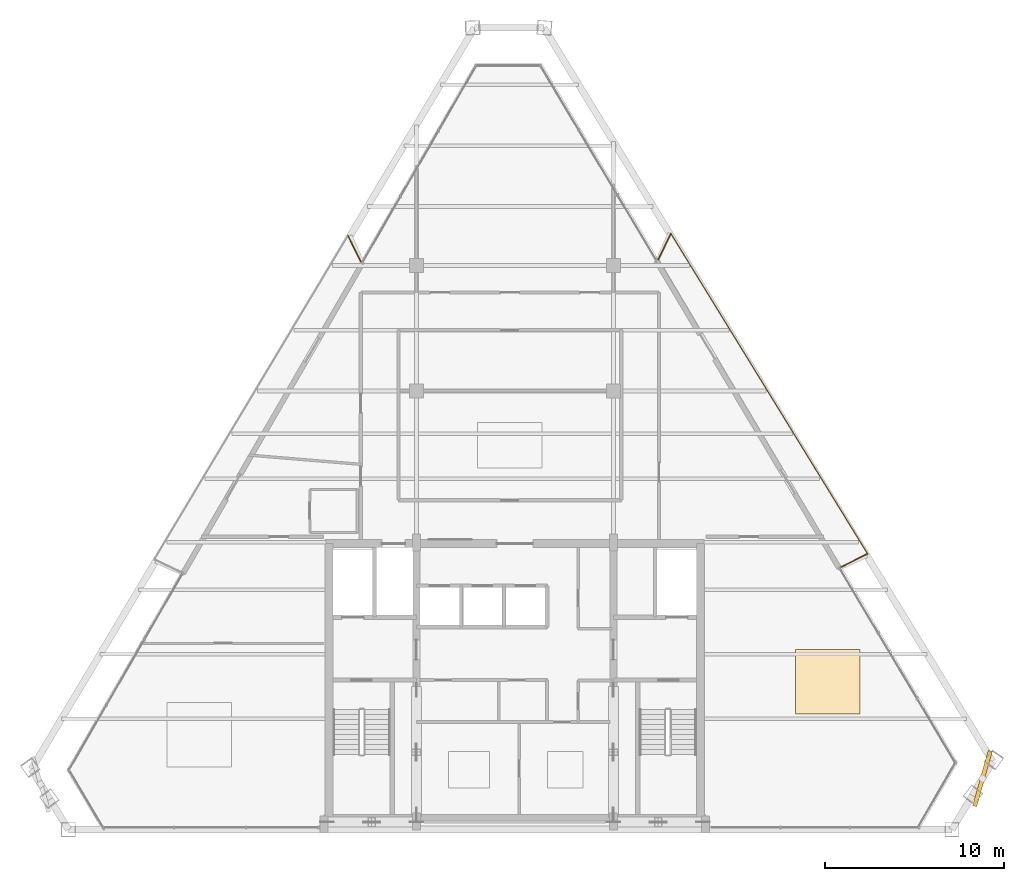
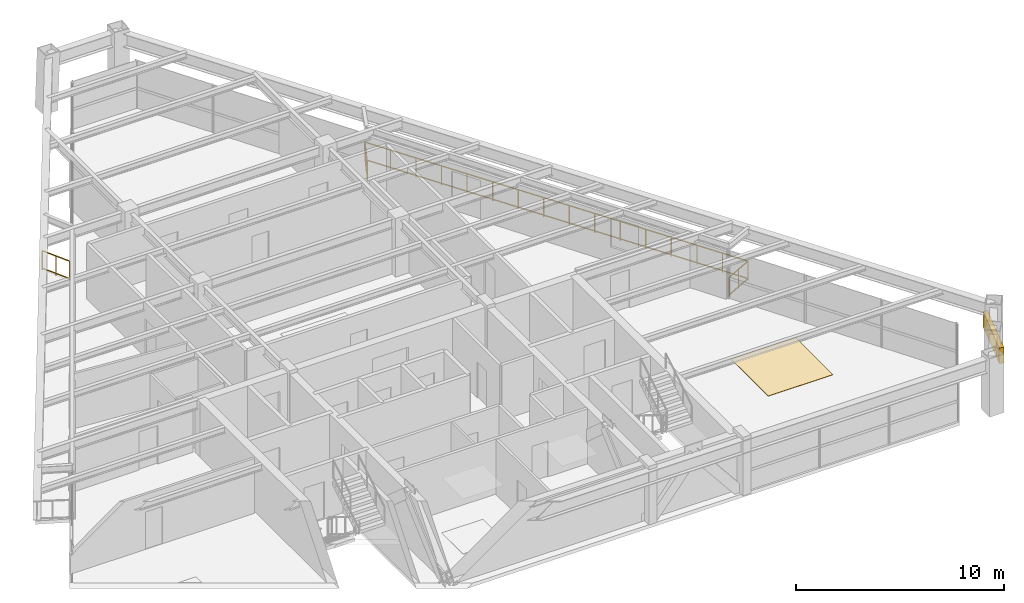
# One storey, part 13 of 13: 4 railings, 1 covering, 1 shading device.
"""IFC4 building model written with IfcOpenShell, lengths in metres."""

from ifc_helpers import new_model, si_unit, direction, frame, origin, origin_2d, place, context, subcontext, project, spatial, rectangle, extrude, source, transform, mapped, material, layer, layer_set, type_object, type_shapes, element, save


model = new_model("IFC4")

# Units and contexts
model_context = context("Model", 3, precision=1e-05, world=origin(), true_north=direction((0.0, 1.0)))
body_context = subcontext(model_context, "Body", "Model", "MODEL_VIEW")
ifc_project = project(units=[si_unit("LENGTHUNIT", "METRE"), si_unit("AREAUNIT", "SQUARE_METRE"), si_unit("VOLUMEUNIT", "CUBIC_METRE"), si_unit("PLANEANGLEUNIT", "RADIAN"), si_unit("MASSUNIT", "GRAM", prefix="KILO")], contexts=[model_context])

# Site, building, storey
site_placement = place(None, origin())
site = spatial("IfcSite", under=ifc_project, at=site_placement, CompositionType="ELEMENT")
building_placement = place(site_placement, origin())
building = spatial("IfcBuilding", under=site, at=building_placement, Name="Varnakhor Terracotta Tower", CompositionType="ELEMENT")
storey_placement = place(building_placement, frame((0.0, 0.0, 273.0)))
storey = spatial("IfcBuildingStorey", under=building, at=storey_placement, Name="L71", CompositionType="ELEMENT", Elevation=273.0)

# Railings
ifc_material_1 = material(Name="Stainless Steel & Laminated Glass Guardrail", Category="steel")
railing_type = type_object("IfcRailingType", Name="RLG-LOGGIA-GUARD-1150", PredefinedType="GUARDRAIL", material=ifc_material_1)
railing_1_placement = place(storey_placement, frame((8.011962890625, 31.848388671875, 0.0)))
element("IfcRailing", 1, at=railing_1_placement, inside=storey, type_object=railing_type, Name="L71 E Loggia Glass Guard 1", PredefinedType="GUARDRAIL", context=body_context, shape_type="SweptSolid", body=[
    extrude(rectangle(XDim=0.048095703125, YDim=0.048095703125, at=origin_2d()), frame((0.0, 0.0, 1.1259765625), z_axis=(0.43962882597, 0.898179545178, 0.0), x_axis=(-0.898179545178, 0.43962882597, 0.0)), (0.0, 0.0, 1.0), 1.599853515625),
    extrude(rectangle(XDim=0.048095703125, YDim=0.048095703125, at=origin_2d()), frame((0.0, 0.0, 0.10009765625), z_axis=(0.43962882597, 0.898179545178, 0.0), x_axis=(-0.898179545178, 0.43962882597, 0.0)), (0.0, 0.0, 1.0), 1.599853515625),
    extrude(rectangle(XDim=0.0419921875, YDim=0.0419921875, at=origin_2d()), origin(), (0.0, 0.0, 1.0), 1.101806640625),
    extrude(rectangle(XDim=0.0419921875, YDim=0.0419921875, at=origin_2d()), frame((0.3515625, 0.718505859375, 0.0)), (0.0, 0.0, 1.0), 1.101806640625),
    extrude(rectangle(XDim=0.0419921875, YDim=0.0419921875, at=origin_2d()), frame((0.703369140625, 1.43701171875, 0.0)), (0.0, 0.0, 1.0), 1.101806640625),
])
railing_2_placement = place(storey_placement, frame((8.71533203125, 33.285400390625, 0.0)))
element("IfcRailing", 2, at=railing_2_placement, inside=storey, type_object=railing_type, Name="L71 E Loggia Glass Guard 2", PredefinedType="GUARDRAIL", context=body_context, shape_type="SweptSolid", body=[
    extrude(rectangle(XDim=0.048095703125, YDim=0.048095703125, at=origin_2d()), frame((0.0, 0.0, 1.1259765625), z_axis=(0.52335064164, -0.852117424945, 0.0), x_axis=(0.852117424945, 0.52335064164, 0.0)), (0.0, 0.0, 1.0), 20.98193359375),
    extrude(rectangle(XDim=0.048095703125, YDim=0.048095703125, at=origin_2d()), frame((0.0, 0.0, 0.10009765625), z_axis=(0.52335064164, -0.852117424945, 0.0), x_axis=(0.852117424945, 0.52335064164, 0.0)), (0.0, 0.0, 1.0), 20.98193359375),
    extrude(rectangle(XDim=0.0419921875, YDim=0.0419921875, at=origin_2d()), origin(), (0.0, 0.0, 1.0), 1.101806640625),
    extrude(rectangle(XDim=0.0419921875, YDim=0.0419921875, at=origin_2d()), frame((0.732177734375, -1.19189453125, 0.0)), (0.0, 0.0, 1.0), 1.101806640625),
    extrude(rectangle(XDim=0.0419921875, YDim=0.0419921875, at=origin_2d()), frame((1.464111328125, -2.3837890625, 0.0)), (0.0, 0.0, 1.0), 1.101806640625),
    extrude(rectangle(XDim=0.0419921875, YDim=0.0419921875, at=origin_2d()), frame((2.1962890625, -3.575927734375, 0.0)), (0.0, 0.0, 1.0), 1.101806640625),
    extrude(rectangle(XDim=0.0419921875, YDim=0.0419921875, at=origin_2d()), frame((2.92822265625, -4.767822265625, 0.0)), (0.0, 0.0, 1.0), 1.101806640625),
    extrude(rectangle(XDim=0.0419921875, YDim=0.0419921875, at=origin_2d()), frame((3.660400390625, -5.959716796875, 0.0)), (0.0, 0.0, 1.0), 1.101806640625),
    extrude(rectangle(XDim=0.0419921875, YDim=0.0419921875, at=origin_2d()), frame((4.392333984375, -7.151611328125, 0.0)), (0.0, 0.0, 1.0), 1.101806640625),
    extrude(rectangle(XDim=0.0419921875, YDim=0.0419921875, at=origin_2d()), frame((5.12451171875, -8.343505859375, 0.0)), (0.0, 0.0, 1.0), 1.101806640625),
    extrude(rectangle(XDim=0.0419921875, YDim=0.0419921875, at=origin_2d()), frame((5.8564453125, -9.53564453125, 0.0)), (0.0, 0.0, 1.0), 1.101806640625),
    extrude(rectangle(XDim=0.0419921875, YDim=0.0419921875, at=origin_2d()), frame((6.588623046875, -10.7275390625, 0.0)), (0.0, 0.0, 1.0), 1.101806640625),
    extrude(rectangle(XDim=0.0419921875, YDim=0.0419921875, at=origin_2d()), frame((7.320556640625, -11.91943359375, 0.0)), (0.0, 0.0, 1.0), 1.101806640625),
    extrude(rectangle(XDim=0.0419921875, YDim=0.0419921875, at=origin_2d()), frame((8.052734375, -13.111328125, 0.0)), (0.0, 0.0, 1.0), 1.101806640625),
    extrude(rectangle(XDim=0.0419921875, YDim=0.0419921875, at=origin_2d()), frame((8.78466796875, -14.30322265625, 0.0)), (0.0, 0.0, 1.0), 1.101806640625),
    extrude(rectangle(XDim=0.0419921875, YDim=0.0419921875, at=origin_2d()), frame((9.516845703125, -15.495361328125, 0.0)), (0.0, 0.0, 1.0), 1.101806640625),
    extrude(rectangle(XDim=0.0419921875, YDim=0.0419921875, at=origin_2d()), frame((10.248779296875, -16.687255859375, 0.0)), (0.0, 0.0, 1.0), 1.101806640625),
    extrude(rectangle(XDim=0.0419921875, YDim=0.0419921875, at=origin_2d()), frame((10.98095703125, -17.879150390625, 0.0)), (0.0, 0.0, 1.0), 1.101806640625),
])
railing_3_placement = place(storey_placement, frame((19.6962890625, 15.40625, 0.0)))
element("IfcRailing", 3, at=railing_3_placement, inside=storey, type_object=railing_type, Name="L71 E Loggia Glass Guard 3", PredefinedType="GUARDRAIL", context=body_context, shape_type="SweptSolid", body=[
    extrude(rectangle(XDim=0.048095703125, YDim=0.048095703125, at=origin_2d()), frame((0.0, 0.0, 1.1259765625), z_axis=(-0.893470526971, -0.449121829167, 0.0), x_axis=(0.449121829167, -0.893470526971, 0.0)), (0.0, 0.0, 1.0), 1.63671875),
    extrude(rectangle(XDim=0.048095703125, YDim=0.048095703125, at=origin_2d()), frame((0.0, 0.0, 0.10009765625), z_axis=(-0.893470526971, -0.449121829167, 0.0), x_axis=(0.449121829167, -0.893470526971, 0.0)), (0.0, 0.0, 1.0), 1.63671875),
    extrude(rectangle(XDim=0.0419921875, YDim=0.0419921875, at=origin_2d()), origin(), (0.0, 0.0, 1.0), 1.101806640625),
    extrude(rectangle(XDim=0.0419921875, YDim=0.0419921875, at=origin_2d()), frame((-0.731201171875, -0.36767578125, 0.0)), (0.0, 0.0, 1.0), 1.101806640625),
    extrude(rectangle(XDim=0.0419921875, YDim=0.0419921875, at=origin_2d()), frame((-1.46240234375, -0.735107421875, 0.0)), (0.0, 0.0, 1.0), 1.101806640625),
])
railing_4_placement = place(storey_placement, frame((-9.320556640625, 33.16552734375, 0.0)))
element("IfcRailing", 4, at=railing_4_placement, inside=storey, type_object=railing_type, Name="L71 W Loggia Glass Guard 3", PredefinedType="GUARDRAIL", context=body_context, shape_type="SweptSolid", body=[
    extrude(rectangle(XDim=0.048095703125, YDim=0.048095703125, at=origin_2d()), frame((0.0, 0.0, 1.1259765625), z_axis=(0.443540418008, -0.896254371032, 0.0), x_axis=(0.896254371032, 0.443540418008, 0.0)), (0.0, 0.0, 1.0), 1.596923828125),
    extrude(rectangle(XDim=0.048095703125, YDim=0.048095703125, at=origin_2d()), frame((0.0, 0.0, 0.10009765625), z_axis=(0.443540418008, -0.896254371032, 0.0), x_axis=(0.896254371032, 0.443540418008, 0.0)), (0.0, 0.0, 1.0), 1.596923828125),
    extrude(rectangle(XDim=0.0419921875, YDim=0.0419921875, at=origin_2d()), origin(), (0.0, 0.0, 1.0), 1.101806640625),
    extrude(rectangle(XDim=0.0419921875, YDim=0.0419921875, at=origin_2d()), frame((0.35400390625, -0.715576171875, 0.0)), (0.0, 0.0, 1.0), 1.101806640625),
    extrude(rectangle(XDim=0.0419921875, YDim=0.0419921875, at=origin_2d()), frame((0.708251953125, -1.43115234375, 0.0)), (0.0, 0.0, 1.0), 1.101806640625),
])

# Shading device
ifc_material_2 = material(Name="Extruded Architectural Terracotta Screen", Category="masonry")
shading_device_type = type_object("IfcShadingDeviceType", Name="TERRACOTTA SOLAR SCREEN E", PredefinedType="USERDEFINED", material=ifc_material_2)
shared_shape_1 = source(origin(), body_context, "Body", "SweptSolid", [
    extrude(rectangle(XDim=3.199951171875, YDim=0.239990234375, at=origin_2d()), origin(), (0.0, 0.0, 1.0), 0.919921875),
])
type_shapes(shading_device_type, [shared_shape_1])
shading_device_placement = place(storey_placement, frame((26.114990234375, 2.85546875, 1.56201171875), z_axis=(0.0, 0.0, 1.0), x_axis=(0.273203784416, 0.961956179969, 0.0)))
element("IfcShadingDevice", 5, at=shading_device_placement, inside=storey, type_object=shading_device_type, Name="L71 E Terracotta Solar Screen", ObjectType="SCREEN", PredefinedType="USERDEFINED", context=body_context, shape_type="MappedRepresentation", body=[
    mapped(shared_shape_1, transform((0.0, 0.0, 0.0), scale=1.0)),
])

# Covering
ifc_material_3 = material(Name="Honed Riyadh Limestone Flooring", Category="masonry")
ifc_layer = layer(ifc_material_3, 0.030029296875, Name="Honed Riyadh Limestone Flooring")
ifc_layer_set = layer_set([ifc_layer], Name="Honed Riyadh Limestone Flooring")
covering_type = type_object("IfcCoveringType", Name="COV-FLOOR-LIMESTONE", PredefinedType="FLOORING", material=ifc_layer_set)
shared_shape_2 = source(origin(), body_context, "Body", "SweptSolid", [
    extrude(rectangle(XDim=3.60009765625, YDim=3.60009765625, at=origin_2d()), origin(), (0.0, 0.0, 1.0), 0.02001953125),
])
covering_placement = place(storey_placement, frame((17.465087890625, 8.26611328125, 0.0), z_axis=(0.0, 0.0, 1.0), x_axis=(1.0, 0.0, 0.0)))
element("IfcCovering", 6, at=covering_placement, inside=storey, type_object=covering_type, Name="L71 Honed Stone Flooring 4", PredefinedType="FLOORING", context=body_context, shape_type="MappedRepresentation", body=[
    mapped(shared_shape_2, transform((0.0, 0.0, 0.0), scale=1.0)),
])

save(model, "model.ifc")
